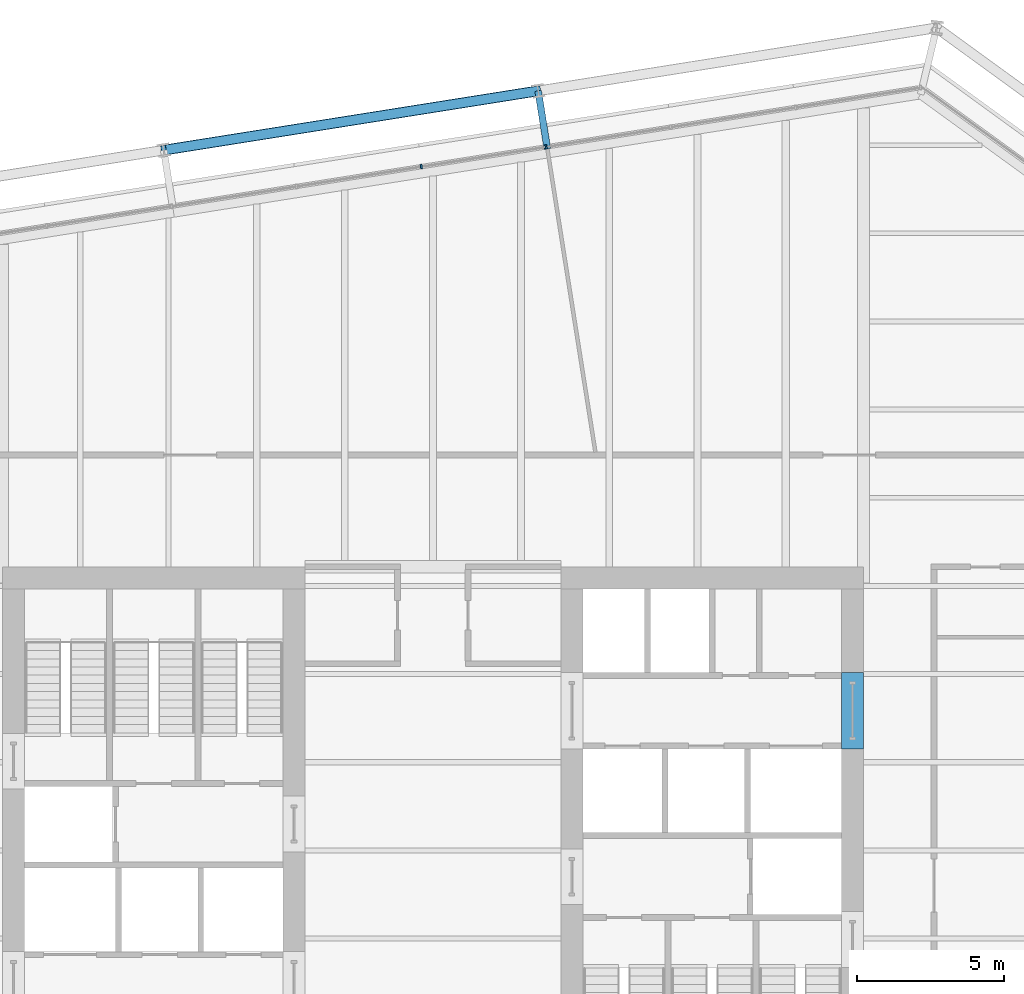
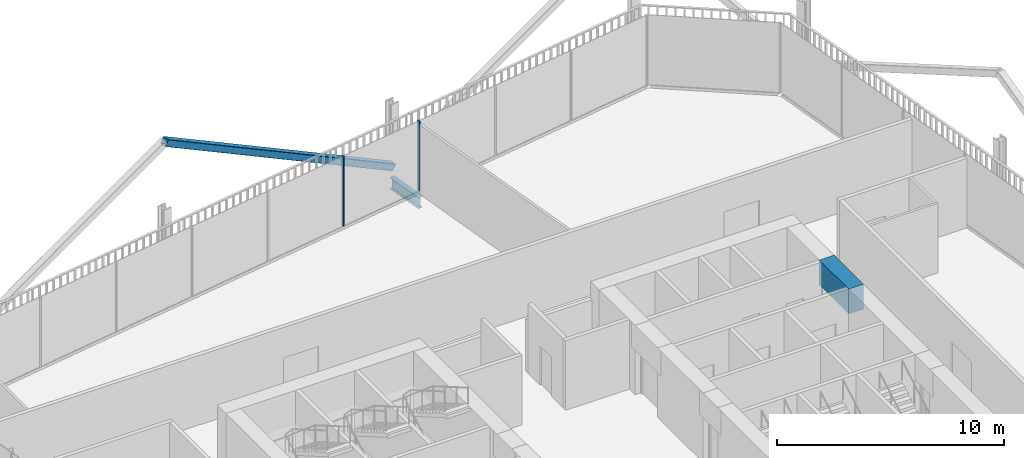
# One storey, part 13 of 22: 3 members, 2 beams, 1 element without a shape of its own.
"""IFC4 building model written with IfcOpenShell, lengths in metres."""

import ifcopenshell
import ifcopenshell.guid

model = None  # the IFC model being written
_history = None  # IfcOwnerHistory: only IFC2X3 demands one
_inside = {}  # id of a spatial element -> (the spatial element, [elements in it])
_under = {}  # id of a project, library or spatial element -> (it, [spatial elements below it])
_declared = {}  # id of a project -> (the project, [libraries it declares])
_typed = {}  # id of a type object -> (the type object, [elements of that type])
_made_of = {}  # id of a material, layer set ... -> (it, [elements and type objects made of it])


def new_model(schema):
    """Start an empty IFC model of exactly this schema.

    Asked for "IFC4X3", IfcOpenShell would pick the latest addendum, in which some entities
    have other attributes; the version numbers below select the first issue.
    IFC2X3 requires an IfcOwnerHistory on every rooted entity: one is made here for all.
    """
    global model, _history
    if schema == "IFC4X3":
        model = ifcopenshell.file(schema_version=(4, 3, 0, 0))
    else:
        model = ifcopenshell.file(schema=schema)
    _inside.clear()
    _under.clear()
    _declared.clear()
    _typed.clear()
    _made_of.clear()
    _history = None
    if model.schema == "IFC2X3":
        org = make("IfcOrganization", Name="unknown")
        user = make(
            "IfcPersonAndOrganization",
            ThePerson=make("IfcPerson", FamilyName="unknown"),
            TheOrganization=org,
        )
        app = make(
            "IfcApplication",
            ApplicationDeveloper=org,
            Version="unknown",
            ApplicationFullName="unknown",
            ApplicationIdentifier="unknown",
        )
        _history = make(
            "IfcOwnerHistory",
            OwningUser=user,
            OwningApplication=app,
            ChangeAction="ADDED",
            CreationDate=0,
        )
    return model


def make(cls, **values):
    """One entity of the class cls with the attributes given. An attribute that is None is left unset."""
    return model.create_entity(
        cls, **{name: value for name, value in values.items() if value is not None}
    )


def rooted(cls, **values):
    """An entity with a GlobalId (a new one), such as an element, a storey or a relation."""
    return make(cls, GlobalId=ifcopenshell.guid.new(), OwnerHistory=_history, **values)


def si_unit(unit_type, name, prefix=None):
    """IfcSIUnit, for example si_unit("LENGTHUNIT", "METRE", prefix="MILLI")."""
    return make("IfcSIUnit", UnitType=unit_type, Prefix=prefix, Name=name)


def assignment(units):
    """IfcUnitAssignment: the units of a project."""
    return None if units is None else make("IfcUnitAssignment", Units=units)


def point(xyz):
    """IfcCartesianPoint."""
    return None if xyz is None else make("IfcCartesianPoint", Coordinates=xyz)


def direction(xyz):
    """IfcDirection."""
    return None if xyz is None else make("IfcDirection", DirectionRatios=xyz)


def frame(location, z_axis=None, x_axis=None):
    """IfcAxis2Placement3D, a coordinate frame: its origin and axes. An axis left out is left unset."""
    return make(
        "IfcAxis2Placement3D",
        Location=point(location),
        Axis=direction(z_axis),
        RefDirection=direction(x_axis),
    )


def frame_2d(location, x_axis=None):
    """IfcAxis2Placement2D, a coordinate frame in the plane: its origin and x axis."""
    return make(
        "IfcAxis2Placement2D", Location=point(location), RefDirection=direction(x_axis)
    )


def origin():
    """The frame at (0, 0, 0) with its axes left unset."""
    return frame((0.0, 0.0, 0.0))


def origin_2d():
    """The frame at (0, 0) in the plane with its x axis left unset."""
    return frame_2d((0.0, 0.0))


def place(relative_to, where):
    """IfcLocalPlacement: puts the frame where relative to a parent placement (None: the world)."""
    return make(
        "IfcLocalPlacement", PlacementRelTo=relative_to, RelativePlacement=where
    )


def context(
    kind, dimensions, precision=None, world=None, true_north=None, identifier=None
):
    """IfcGeometricRepresentationContext, for example the 3D "Model" context."""
    return make(
        "IfcGeometricRepresentationContext",
        ContextIdentifier=identifier,
        ContextType=kind,
        CoordinateSpaceDimension=dimensions,
        Precision=precision,
        WorldCoordinateSystem=world,
        TrueNorth=true_north,
    )


def subcontext(parent, identifier, kind, view, scale=None):
    """IfcGeometricRepresentationSubContext, for example "Body" below "Model"."""
    return make(
        "IfcGeometricRepresentationSubContext",
        ContextIdentifier=identifier,
        ContextType=kind,
        ParentContext=parent,
        TargetScale=scale,
        TargetView=view,
    )


def project(units=None, contexts=None):
    """IfcProject with its units and contexts."""
    return rooted(
        "IfcProject",
        Name="project",
        RepresentationContexts=contexts,
        UnitsInContext=assignment(units),
    )


def spatial(cls, under=None, at=None, **own):
    """A site, building, storey or space (cls), placed at a placement, below another one or the project."""
    s = rooted(cls, ObjectPlacement=at, **own)
    if under is not None:
        _under.setdefault(under.id(), (under, []))[1].append(s)
    return s


def profile(cls, at=None, kind="AREA", **sizes):
    """A parametric profile (cls). Its sizes go by their IFC names, for example OverallWidth=200.0."""
    return make(cls, ProfileType=kind, Position=at, **sizes)


def rectangle(**sizes):
    """IfcRectangleProfileDef."""
    return profile("IfcRectangleProfileDef", **sizes)


def hollow_rectangle(**sizes):
    """IfcRectangleHollowProfileDef."""
    return profile("IfcRectangleHollowProfileDef", **sizes)


def i_section(**sizes):
    """IfcIShapeProfileDef."""
    return profile("IfcIShapeProfileDef", **sizes)


def extrude(swept, where, along, depth):
    """IfcExtrudedAreaSolid: the profile swept, set in the frame where, extruded along a direction by depth."""
    return make(
        "IfcExtrudedAreaSolid",
        SweptArea=swept,
        Position=where,
        ExtrudedDirection=direction(along),
        Depth=depth,
    )


def shape(context_of_items, identifier, shape_type, items):
    """IfcShapeRepresentation: the items that make up one representation, for example the "Body"."""
    return make(
        "IfcShapeRepresentation",
        ContextOfItems=context_of_items,
        RepresentationIdentifier=identifier,
        RepresentationType=shape_type,
        Items=items,
    )


def material(Name=None, Category=None):
    """IfcMaterial."""
    return make("IfcMaterial", Name=Name, Category=Category)


def layer(
    of_material, thickness, ventilated=None, Name=None, Category=None, Priority=None
):
    """IfcMaterialLayer: one layer of a wall or slab, of a material (None: an air gap)."""
    return make(
        "IfcMaterialLayer",
        Material=of_material,
        LayerThickness=thickness,
        IsVentilated=ventilated,
        Name=Name,
        Category=Category,
        Priority=Priority,
    )


def layer_set(layers, Name=None):
    """IfcMaterialLayerSet."""
    return make("IfcMaterialLayerSet", MaterialLayers=layers, LayerSetName=Name)


def material_profile(
    of_material, cross_section, Name=None, Category=None, Priority=None
):
    """IfcMaterialProfile: a cross section and its material."""
    return make(
        "IfcMaterialProfile",
        Name=Name,
        Material=of_material,
        Profile=cross_section,
        Priority=Priority,
        Category=Category,
    )


def profile_set(profiles, Name=None, composite=None):
    """IfcMaterialProfileSet."""
    return make(
        "IfcMaterialProfileSet",
        Name=Name,
        MaterialProfiles=profiles,
        CompositeProfile=composite,
    )


def made_of(thing, what):
    """Note that an element or type object is made of a material, layer set ...; save() writes the relation."""
    if what is not None:
        _made_of.setdefault(what.id(), (what, []))[1].append(thing)
    return thing


def type_object(cls, material=None, **own):
    """A type object (cls), such as IfcWallType, which elements share."""
    return made_of(rooted(cls, **own), material)


def element(
    cls,
    number,
    at=None,
    inside=None,
    cuts=None,
    type_object=None,
    material=None,
    context=None,
    identifier="Body",
    shape_type=None,
    held_by="IfcProductDefinitionShape",
    body=None,
    shapes=None,
    **own,
):
    """One element of the class cls, such as IfcWall. Its Tag is "e" and its number.

    at: its placement. inside: the storey or other place that contains it. cuts: it is an
    opening in that element (IfcRelVoidsElement). A single representation is given by context,
    identifier, shape_type and body (its items); several are given by shapes. held_by: the class
    of the entity that holds the representations. save() writes the other relations.
    """
    e = rooted(cls, Tag="e%d" % number, ObjectPlacement=at, **own)
    if body is not None:
        shapes = [shape(context, identifier, shape_type, body)]
    if shapes is not None:
        e.Representation = make(held_by, Representations=shapes)
    if inside is not None:
        _inside.setdefault(inside.id(), (inside, []))[1].append(e)
    if cuts is not None:
        rooted(
            "IfcRelVoidsElement", RelatingBuildingElement=cuts, RelatedOpeningElement=e
        )
    if type_object is not None:
        _typed.setdefault(type_object.id(), (type_object, []))[1].append(e)
    return made_of(e, material)


def aggregate(whole, parts):
    """IfcRelAggregates: a whole, such as a stair, and the parts it consists of."""
    return rooted("IfcRelAggregates", RelatingObject=whole, RelatedObjects=parts)


def save(model, path):
    """Write the relations noted so far, then the file.

    IfcRelAggregates (storeys below a building ...), IfcRelContainedInSpatialStructure (elements
    in a storey), IfcRelDefinesByType, IfcRelAssociatesMaterial and IfcRelDeclares: one each for
    every whole, place, type object, material and project.
    """
    for whole, parts in _under.values():
        aggregate(whole, parts)
    for where, things in _inside.values():
        rooted(
            "IfcRelContainedInSpatialStructure",
            RelatedElements=things,
            RelatingStructure=where,
        )
    for kind, things in _typed.values():
        rooted("IfcRelDefinesByType", RelatedObjects=things, RelatingType=kind)
    for what, things in _made_of.values():
        rooted("IfcRelAssociatesMaterial", RelatedObjects=things, RelatingMaterial=what)
    for by, libraries in _declared.values():
        rooted("IfcRelDeclares", RelatingContext=by, RelatedDefinitions=libraries)
    model.write(path)


model = new_model("IFC4")

# Units and contexts
model_context = context("Model", 3, precision=1e-05, world=origin(), true_north=direction((0.0, 1.0)))
body_context = subcontext(model_context, "Body", "Model", "MODEL_VIEW")
ifc_project = project(units=[si_unit("LENGTHUNIT", "METRE"), si_unit("AREAUNIT", "SQUARE_METRE"), si_unit("VOLUMEUNIT", "CUBIC_METRE"), si_unit("PLANEANGLEUNIT", "RADIAN"), si_unit("MASSUNIT", "GRAM", prefix="KILO")], contexts=[model_context])

# Site, building, storey
site_placement = place(None, origin())
site = spatial("IfcSite", under=ifc_project, at=site_placement, CompositionType="ELEMENT")
building_placement = place(site_placement, origin())
building = spatial("IfcBuilding", under=site, at=building_placement, Name="Millrace Tower", CompositionType="ELEMENT")
storey_placement = place(building_placement, frame((0.0, 0.0, 145.10009765625)))
storey = spatial("IfcBuildingStorey", under=building, at=storey_placement, Name="L32", CompositionType="ELEMENT", Elevation=145.10009765625)

# Curtain wall, members
ifc_material_1 = material(Name="Aluminium and glass", Category="aluminium")
ifc_layer = layer(ifc_material_1, 0.14990234375)
ifc_layer_set = layer_set([ifc_layer], Name="Aluminium and glass")
curtain_wall_type = type_object("IfcCurtainWallType", Name="CW-1 office vision curtain wall", PredefinedType="NOTDEFINED", material=ifc_layer_set)
curtain_wall_placement = place(storey_placement, origin())
curtain_wall = element("IfcCurtainWall", 1, at=curtain_wall_placement, inside=storey, type_object=curtain_wall_type, Name="Curtain wall C-F06 L32", PredefinedType="NOTDEFINED")
ifc_material_2 = material(Name="Aluminium", Category="aluminium")
ifc_material_profile_1 = material_profile(ifc_material_2, rectangle(XDim=0.06494140625, YDim=0.14990234375, at=origin_2d()))
ifc_profile_set_1 = profile_set([ifc_material_profile_1], Name="Aluminium")
member_type_1 = type_object("IfcMemberType", Name="CW-1 office vision curtain wall mullion", PredefinedType="MULLION", material=ifc_profile_set_1)
member_1_placement = place(storey_placement, frame((3.8505859375, 23.938720703125, 0.139892578125), z_axis=(0.0, 0.0, 1.0), x_axis=(-0.98768833929, -0.15643447328, 0.0)))
member_1 = element("IfcMember", 2, at=member_1_placement, type_object=member_type_1, Name="CW1 mullion C-F06.4", PredefinedType="MULLION", context=body_context, shape_type="SweptSolid", body=[
    extrude(rectangle(XDim=0.06494140625, YDim=0.14990234375, at=origin_2d()), origin(), (0.0, 0.0, 1.0), 3.760009765625),
])
member_2_placement = place(storey_placement, frame((-0.396484375, 23.26611328125, 0.139892578125), z_axis=(0.0, 0.0, 1.0), x_axis=(-0.98768833929, -0.15643447328, 0.0)))
member_2 = element("IfcMember", 3, at=member_2_placement, type_object=member_type_1, Name="CW1 mullion C-F06.5", PredefinedType="MULLION", context=body_context, shape_type="SweptSolid", body=[
    extrude(rectangle(XDim=0.06494140625, YDim=0.14990234375, at=origin_2d()), origin(), (0.0, 0.0, 1.0), 3.760009765625),
])
aggregate(curtain_wall, [member_1, member_2])

# Beam
ifc_material_3 = material(Name="Concrete C70", Category="concrete")
ifc_material_profile_2 = material_profile(ifc_material_3, rectangle(XDim=0.75, YDim=1.340087890625, at=origin_2d()))
ifc_profile_set_2 = profile_set([ifc_material_profile_2], Name="Concrete C70")
beam_type_1 = type_object("IfcBeamType", Name="Coupling beam 750 x 1340 Concrete C70, 2000 opening", PredefinedType="BEAM", material=ifc_profile_set_2)
beam_1_placement = place(storey_placement, frame((14.27490234375, 6.050048828125, 3.06982421875), z_axis=(0.0, -1.0, 0.0), x_axis=(1.0, 0.0, 0.0)))
element("IfcBeam", 4, at=beam_1_placement, inside=storey, type_object=beam_type_1, Name="Coupling beam E L32", PredefinedType="BEAM", context=body_context, shape_type="SweptSolid", body=[
    extrude(rectangle(XDim=0.75, YDim=1.340087890625, at=origin_2d()), origin(), (0.0, 0.0, 1.0), 2.60009765625),
])

# Member
ifc_material_4 = material(Name="Steel ASTM A500 Grade C", Category="steel")
ifc_material_profile_3 = material_profile(ifc_material_4, hollow_rectangle(XDim=0.355712890625, YDim=0.355712890625, WallThickness=0.015869140625, InnerFilletRadius=0.008056640625, OuterFilletRadius=0.02392578125, at=origin_2d()))
ifc_profile_set_3 = profile_set([ifc_material_profile_3], Name="Steel ASTM A500 Grade C")
member_type_2 = type_object("IfcMemberType", Name="Exoskeleton brace HSS14x14x5/8", PredefinedType="BRACE", material=ifc_profile_set_3)
member_3_placement = place(storey_placement, frame((3.58154296875, 25.844970703125, 0.39990234375), z_axis=(-0.868115902798, -0.137483289964, 0.476941426478), x_axis=(0.15642030113, -0.987690583834, 0.0)))
element("IfcMember", 5, at=member_3_placement, inside=storey, type_object=member_type_2, Name="BRC-C-L32-11", PredefinedType="BRACE", context=body_context, shape_type="SweptSolid", body=[
    extrude(hollow_rectangle(XDim=0.355712890625, YDim=0.355712890625, WallThickness=0.015869140625, InnerFilletRadius=0.008056640625, OuterFilletRadius=0.02392578125, at=origin_2d()), origin(), (0.0, 0.0, 1.0), 14.6767578125),
])

# Beam
ifc_material_5 = material(Name="Steel ASTM A992 Grade 50", Category="steel")
ifc_material_profile_4 = material_profile(ifc_material_5, i_section(OverallWidth=0.23046875, OverallDepth=0.6171875, WebThickness=0.01318359375, FlangeThickness=0.022216796875, FilletRadius=0.012939453125, at=origin_2d()))
ifc_profile_set_4 = profile_set([ifc_material_profile_4], Name="Steel ASTM A992 Grade 50")
beam_type_2 = type_object("IfcBeamType", Name="Link beam W24x94", PredefinedType="BEAM", material=ifc_profile_set_4)
beam_2_placement = place(storey_placement, frame((3.894287109375, 23.86962890625, -0.46875), z_axis=(-0.15637629034, 0.987697552806, 0.0), x_axis=(-0.987697552806, -0.15637629034, 0.0)))
element("IfcBeam", 6, at=beam_2_placement, inside=storey, type_object=beam_type_2, Name="LNK-C-L32-S1-07", PredefinedType="BEAM", context=body_context, shape_type="SweptSolid", body=[
    extrude(i_section(OverallWidth=0.23046875, OverallDepth=0.6171875, WebThickness=0.01318359375, FlangeThickness=0.022216796875, FilletRadius=0.012939453125, at=origin_2d()), origin(), (0.0, 0.0, 1.0), 2.0),
])

save(model, "model.ifc")
